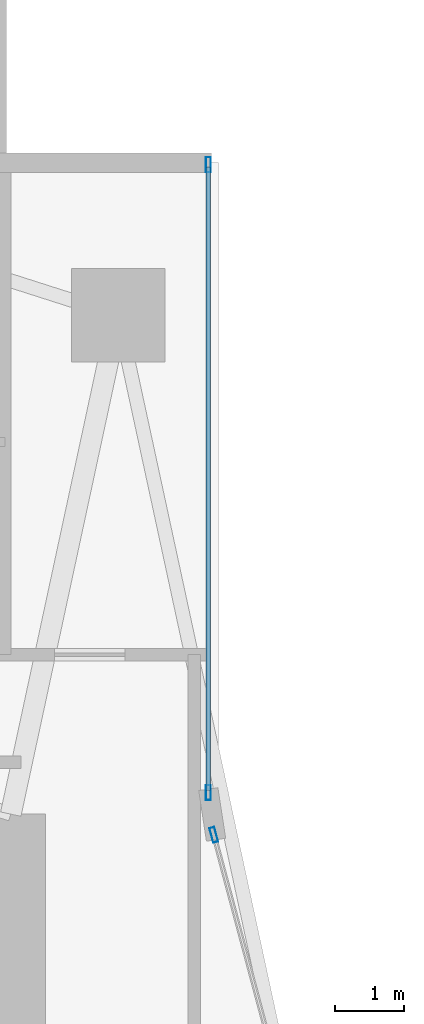
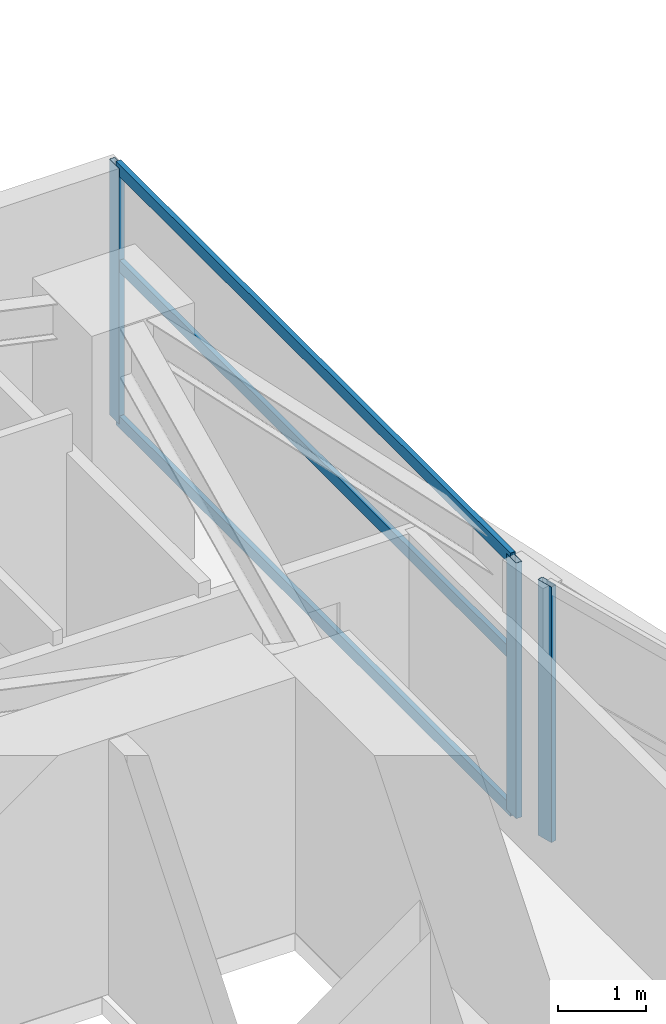
# One storey, part 18 of 29: 6 members, 2 elements without a shape of their own.
"""IFC4 building model written with IfcOpenShell, lengths in metres."""

from ifc_helpers import new_model, si_unit, direction, frame, origin, origin_2d, place, context, subcontext, project, spatial, hollow_rectangle, extrude, material, layer, layer_set, material_profile, profile_set, type_object, element, aggregate, save


model = new_model("IFC4")

# Units and contexts
model_context = context("Model", 3, precision=1e-05, world=origin(), true_north=direction((0.0, 1.0)))
body_context = subcontext(model_context, "Body", "Model", "MODEL_VIEW")
ifc_project = project(units=[si_unit("LENGTHUNIT", "METRE"), si_unit("AREAUNIT", "SQUARE_METRE"), si_unit("VOLUMEUNIT", "CUBIC_METRE"), si_unit("PLANEANGLEUNIT", "RADIAN"), si_unit("MASSUNIT", "GRAM", prefix="KILO")], contexts=[model_context])

# Site, building, storey
site_placement = place(None, origin())
site = spatial("IfcSite", under=ifc_project, at=site_placement, CompositionType="ELEMENT")
building_placement = place(site_placement, origin())
building = spatial("IfcBuilding", under=site, at=building_placement, Name="Calvorn Quay Hotel", CompositionType="ELEMENT")
storey_placement = place(building_placement, frame((0.0, 0.0, 34.60009765625)))
storey = spatial("IfcBuildingStorey", under=building, at=storey_placement, Name="L07", CompositionType="ELEMENT", Elevation=34.60009765625)

# Curtain wall, member
ifc_material_1 = material(Name="Pale Anodised Aluminium and Low-E Glass", Category="aluminium")
ifc_layer = layer(ifc_material_1, 0.219970703125)
ifc_layer_set = layer_set([ifc_layer], Name="CW-SYS-Z1")
curtain_wall_type = type_object("IfcCurtainWallType", Name="CW-SYS-Z1", PredefinedType="NOTDEFINED", material=ifc_layer_set)
curtain_wall_1_placement = place(storey_placement, origin())
curtain_wall_1 = element("IfcCurtainWall", 1, at=curtain_wall_1_placement, inside=storey, type_object=curtain_wall_type, Name="Inner Court Curtain Wall L07-IC1", PredefinedType="NOTDEFINED")
ifc_material_2 = material(Name="Pale Anodised Aluminium 6063-T6", Category="aluminium")
ifc_material_profile_1 = material_profile(ifc_material_2, hollow_rectangle(XDim=0.074951171875, YDim=0.219970703125, WallThickness=0.00439453125, at=origin_2d()), Name="ALU-M220x75x4.5")
ifc_profile_set_1 = profile_set([ifc_material_profile_1], Name="Pale Anodised Aluminium 6063-T6")
member_type_1 = type_object("IfcMemberType", Name="CW-SYS-Z1-MUL", PredefinedType="MULLION", material=ifc_profile_set_1)
member_1_placement = place(storey_placement, frame((17.9296875, 38.10107421875, 0.0), z_axis=(0.0, 0.0, 1.0), x_axis=(-0.96593652056, -0.25877913024, 0.0)))
member_1 = element("IfcMember", 2, at=member_1_placement, type_object=member_type_1, Name="CW-L07-IC1 mullion 2", PredefinedType="MULLION", context=body_context, shape_type="SweptSolid", body=[
    extrude(hollow_rectangle(XDim=0.074951171875, YDim=0.219970703125, WallThickness=0.00439453125, at=origin_2d()), origin(), (0.0, 0.0, 1.0), 3.559814453125),
])
aggregate(curtain_wall_1, [member_1])

# Curtain wall, members
curtain_wall_2_placement = place(storey_placement, origin())
curtain_wall_2 = element("IfcCurtainWall", 3, at=curtain_wall_2_placement, inside=storey, type_object=curtain_wall_type, Name="Inner Court Curtain Wall L07-IC2", PredefinedType="NOTDEFINED")
member_2_placement = place(storey_placement, frame((17.85009765625, 38.7099609375, 0.0), z_axis=(0.0, 0.0, 1.0), x_axis=(-1.0, 0.0, 0.0)))
member_2 = element("IfcMember", 4, at=member_2_placement, type_object=member_type_1, Name="CW-L07-IC2 mullion 1", PredefinedType="MULLION", context=body_context, shape_type="SweptSolid", body=[
    extrude(hollow_rectangle(XDim=0.074951171875, YDim=0.219970703125, WallThickness=0.00439453125, at=origin_2d()), origin(), (0.0, 0.0, 1.0), 3.559814453125),
])
member_3_placement = place(storey_placement, frame((17.85009765625, 47.77001953125, 0.0), z_axis=(0.0, 0.0, 1.0), x_axis=(-1.0, 0.0, 0.0)))
member_3 = element("IfcMember", 5, at=member_3_placement, type_object=member_type_1, Name="CW-L07-IC2 mullion 2", PredefinedType="MULLION", context=body_context, shape_type="SweptSolid", body=[
    extrude(hollow_rectangle(XDim=0.074951171875, YDim=0.219970703125, WallThickness=0.00439453125, at=origin_2d()), origin(), (0.0, 0.0, 1.0), 3.559814453125),
])
ifc_material_3 = material(Name="Pale Anodised Aluminium 6063-T6", Category="aluminium")
ifc_material_profile_2 = material_profile(ifc_material_3, hollow_rectangle(XDim=0.06494140625, YDim=0.1650390625, WallThickness=0.00341796875, at=origin_2d()), Name="ALU-T165x65x3.5")
ifc_profile_set_2 = profile_set([ifc_material_profile_2], Name="Pale Anodised Aluminium 6063-T6")
member_type_2 = type_object("IfcMemberType", Name="CW-SYS-Z1-TRN", PredefinedType="USERDEFINED", material=ifc_profile_set_2)
member_4_placement = place(storey_placement, frame((17.85009765625, 38.739990234375, 0.02978515625), z_axis=(0.0, 1.0, 0.0), x_axis=(-1.0, 0.0, 0.0)))
member_4 = element("IfcMember", 6, at=member_4_placement, type_object=member_type_2, Name="CW-L07-IC2 transom 1.1", ObjectType="TRANSOM", PredefinedType="USERDEFINED", context=body_context, shape_type="SweptSolid", body=[
    extrude(hollow_rectangle(XDim=0.06494140625, YDim=0.1650390625, WallThickness=0.00341796875, at=origin_2d()), origin(), (0.0, 0.0, 1.0), 9.0),
])
member_5_placement = place(storey_placement, frame((17.85009765625, 38.739990234375, 2.199951171875), z_axis=(0.0, 1.0, 0.0), x_axis=(-1.0, 0.0, 0.0)))
member_5 = element("IfcMember", 7, at=member_5_placement, type_object=member_type_2, Name="CW-L07-IC2 transom 1.2", ObjectType="TRANSOM", PredefinedType="USERDEFINED", context=body_context, shape_type="SweptSolid", body=[
    extrude(hollow_rectangle(XDim=0.06494140625, YDim=0.1650390625, WallThickness=0.00341796875, at=origin_2d()), origin(), (0.0, 0.0, 1.0), 9.0),
])
member_6_placement = place(storey_placement, frame((17.85009765625, 38.739990234375, 3.52978515625), z_axis=(0.0, 1.0, 0.0), x_axis=(-1.0, 0.0, 0.0)))
member_6 = element("IfcMember", 8, at=member_6_placement, type_object=member_type_2, Name="CW-L07-IC2 transom 1.3", ObjectType="TRANSOM", PredefinedType="USERDEFINED", context=body_context, shape_type="SweptSolid", body=[
    extrude(hollow_rectangle(XDim=0.06494140625, YDim=0.1650390625, WallThickness=0.00341796875, at=origin_2d()), origin(), (0.0, 0.0, 1.0), 9.0),
])
aggregate(curtain_wall_2, [member_2, member_3, member_4, member_5, member_6])

save(model, "model.ifc")
